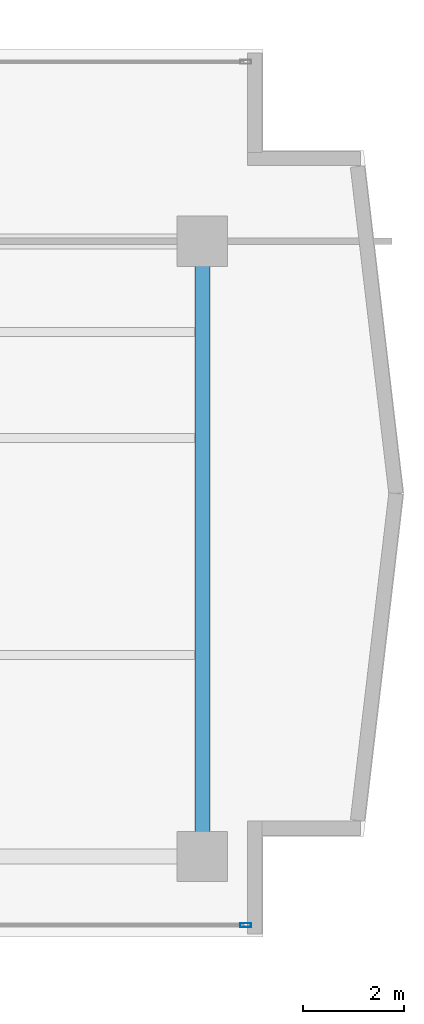
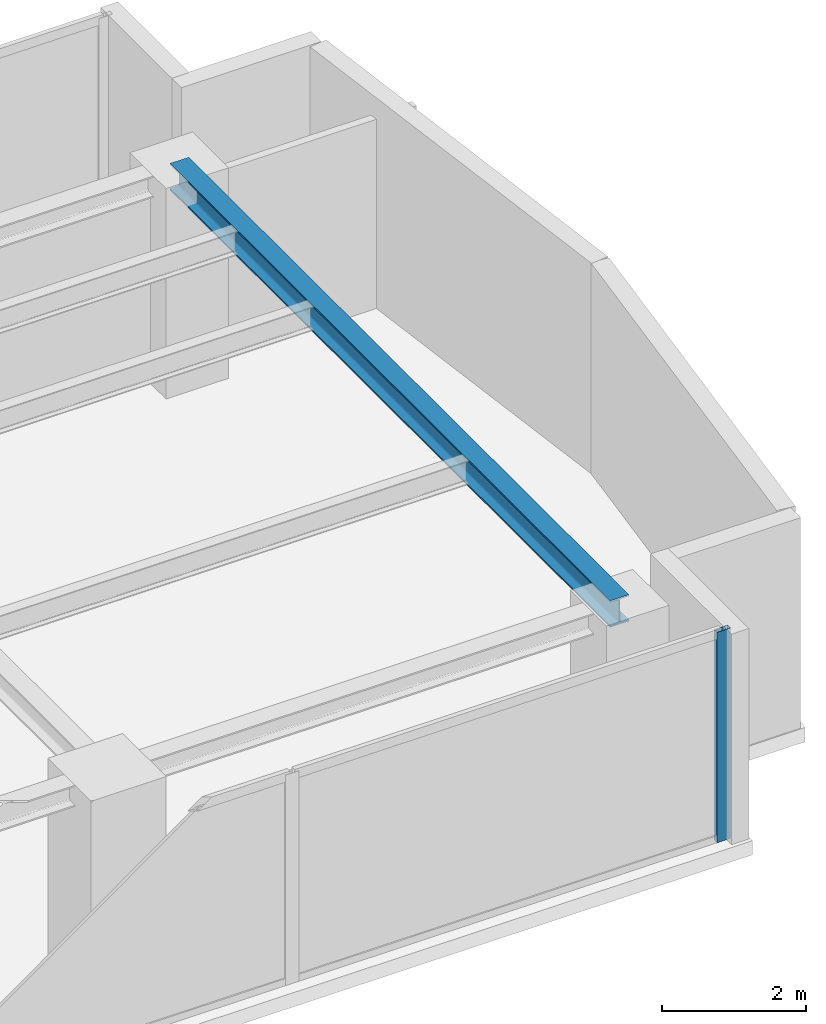
# One storey, part 12 of 23: 1 beam, 1 member, 1 element without a shape of its own.
"""IFC4 building model written with IfcOpenShell, lengths in metres."""

from ifc_helpers import new_model, si_unit, direction, frame, origin, origin_with_axes, origin_2d, place, context, subcontext, project, spatial, hollow_rectangle, i_section, extrude, source, transform, mapped, material, layer, layer_set, material_profile, profile_set, type_object, element, aggregate, save


model = new_model("IFC4")

# Units and contexts
model_context = context("Model", 3, precision=1e-05, world=origin(), true_north=direction((0.0, 1.0)))
body_context = subcontext(model_context, "Body", "Model", "MODEL_VIEW")
ifc_project = project(units=[si_unit("LENGTHUNIT", "METRE"), si_unit("AREAUNIT", "SQUARE_METRE"), si_unit("VOLUMEUNIT", "CUBIC_METRE"), si_unit("PLANEANGLEUNIT", "RADIAN"), si_unit("MASSUNIT", "GRAM", prefix="KILO")], contexts=[model_context])

# Site, building, storey
site_placement = place(None, origin())
site = spatial("IfcSite", under=ifc_project, at=site_placement, CompositionType="ELEMENT")
building_placement = place(site_placement, origin())
building = spatial("IfcBuilding", under=site, at=building_placement, Name="Kolvaren Waterfront Exchange", CompositionType="ELEMENT")
storey_placement = place(building_placement, frame((0.0, 0.0, 188.0)))
storey = spatial("IfcBuildingStorey", under=building, at=storey_placement, Name="L48", CompositionType="ELEMENT", Elevation=188.0)

# Beam
ifc_material_1 = material(Name="Steel S355", Category="steel")
ifc_material_profile_1 = material_profile(ifc_material_1, i_section(OverallWidth=0.300048828125, OverallDepth=0.449951171875, WebThickness=0.013916015625, FlangeThickness=0.02587890625, FilletRadius=0.027099609375, at=origin_2d()), Name="HEB450")
ifc_profile_set_1 = profile_set([ifc_material_profile_1], Name="Steel S355")
beam_type = type_object("IfcBeamType", Name="STR-BM-HEB450", PredefinedType="BEAM", material=ifc_profile_set_1)
beam_placement = place(storey_placement, frame((53.800048828125, 5.199951171875, 3.3349609375), z_axis=(0.0, 1.0, 0.0), x_axis=(-1.0, 0.0, 0.0)))
element("IfcBeam", 1, at=beam_placement, inside=storey, type_object=beam_type, Name="L48 east-arm transverse girder X53", PredefinedType="BEAM", context=body_context, shape_type="SweptSolid", body=[
    extrude(i_section(OverallWidth=0.300048828125, OverallDepth=0.449951171875, WebThickness=0.013916015625, FlangeThickness=0.02587890625, FilletRadius=0.027099609375, at=origin_2d()), origin(), (0.0, 0.0, 1.0), 12.199951171875),
])

# Curtain wall, member
ifc_material_2 = material(Name="Anodised bronze aluminium 6063-T6", Category="aluminium")
ifc_layer = layer(ifc_material_2, 0.219970703125, Name="Anodised bronze aluminium 6063-T6")
ifc_layer_set = layer_set([ifc_layer], Name="Anodised bronze aluminium 6063-T6")
curtain_wall_type = type_object("IfcCurtainWallType", Name="ARC-CW-SYS1", PredefinedType="USERDEFINED", material=ifc_layer_set)
curtain_wall_placement = place(storey_placement, origin())
curtain_wall = element("IfcCurtainWall", 2, at=curtain_wall_placement, inside=storey, type_object=curtain_wall_type, Name="L48 stick curtain wall CW1 (CW-L48-S)", ObjectType="STICK CURTAIN WALL", PredefinedType="USERDEFINED")
ifc_material_3 = material(Name="Anodised aluminium 6063-T6", Category="aluminium")
ifc_material_profile_2 = material_profile(ifc_material_3, hollow_rectangle(XDim=0.080078125, YDim=0.219970703125, WallThickness=0.0048828125, at=origin_2d()), Name="ALU-MUL-220x80x5")
ifc_profile_set_2 = profile_set([ifc_material_profile_2], Name="Anodised aluminium 6063-T6")
member_type = type_object("IfcMemberType", Name="ARC-CWM-220", PredefinedType="MULLION", material=ifc_profile_set_2)
shared_shape = source(origin_with_axes(), body_context, "Body", "SweptSolid", [
    extrude(hollow_rectangle(XDim=0.080078125, YDim=0.219970703125, WallThickness=0.0048828125, at=origin_2d()), origin(), (0.0, 0.0, 1.0), 3.56005859375),
])
member_placement = place(storey_placement, frame((54.659912109375, 3.840087890625, 0.0), z_axis=(0.0, 0.0, 1.0), x_axis=(0.0, 1.0, 0.0)))
member = element("IfcMember", 3, at=member_placement, type_object=member_type, Name="CW1 mullion 8", PredefinedType="MULLION", context=body_context, shape_type="MappedRepresentation", body=[
    mapped(shared_shape, transform((0.0, 0.0, 0.0), x_axis=(1.0, 0.0, 0.0), y_axis=(0.0, 1.0, 0.0), z_axis=(0.0, 0.0, 1.0), scale=1.0)),
])
aggregate(curtain_wall, [member])

save(model, "model.ifc")
